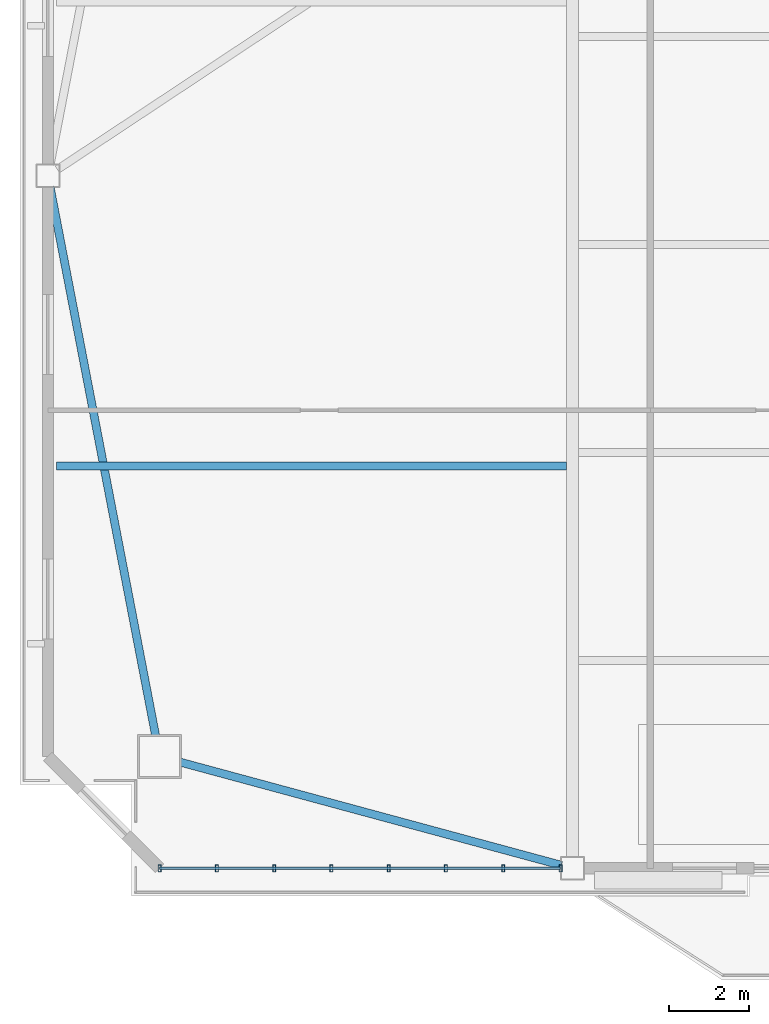
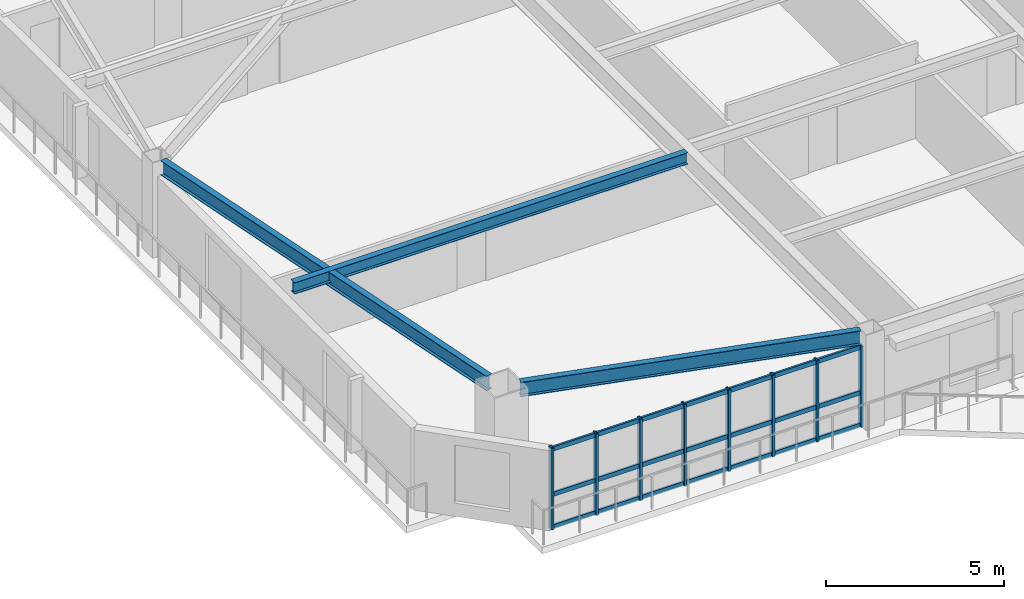
# One storey, part 2 of 17: 11 members, 3 beams, 1 element without a shape of its own.
"""IFC4 building model written with IfcOpenShell, lengths in metres."""

from ifc_helpers import new_model, si_unit, direction, frame, origin, origin_2d, place, context, subcontext, project, spatial, hollow_rectangle, i_section, extrude, source, transform, mapped, material, layer, layer_set, material_profile, profile_set, type_object, element, aggregate, save


model = new_model("IFC4")

# Units and contexts
model_context = context("Model", 3, precision=1e-05, world=origin(), true_north=direction((0.0, 1.0)))
body_context = subcontext(model_context, "Body", "Model", "MODEL_VIEW")
ifc_project = project(units=[si_unit("LENGTHUNIT", "METRE"), si_unit("AREAUNIT", "SQUARE_METRE"), si_unit("VOLUMEUNIT", "CUBIC_METRE"), si_unit("PLANEANGLEUNIT", "RADIAN"), si_unit("MASSUNIT", "GRAM", prefix="KILO")], contexts=[model_context])

# Site, building, storey
site_placement = place(None, origin())
site = spatial("IfcSite", under=ifc_project, at=site_placement, CompositionType="ELEMENT")
building_placement = place(site_placement, origin())
building = spatial("IfcBuilding", under=site, at=building_placement, Name="Giltprow Tower", CompositionType="ELEMENT")
storey_placement = place(building_placement, frame((0.0, 0.0, 202.699951171875)))
storey = spatial("IfcBuildingStorey", under=building, at=storey_placement, Name="L51", CompositionType="ELEMENT", Elevation=202.699951171875)

# Beams
ifc_material_1 = material(Name="Structural steel Q355B", Category="steel")
ifc_material_profile_1 = material_profile(ifc_material_1, i_section(OverallWidth=0.199951171875, OverallDepth=0.5, WebThickness=0.010009765625, FlangeThickness=0.01611328125, at=origin_2d()), Name="HN 500x200x10x16")
ifc_profile_set_1 = profile_set([ifc_material_profile_1], Name="Structural steel Q355B")
beam_type_1 = type_object("IfcBeamType", Name="BM-SPAN-HN500", PredefinedType="SPANDREL", material=ifc_profile_set_1)
shared_shape_1 = source(origin(), body_context, "Body", "SweptSolid", [
    extrude(i_section(OverallWidth=0.199951171875, OverallDepth=0.5, WebThickness=0.010009765625, FlangeThickness=0.01611328125, at=origin_2d()), origin(), (0.0, 0.0, 1.0), 9.899658203125),
])
beam_1_placement = place(storey_placement, frame((10.01904296875, 14.0458984375, 3.02001953125), z_axis=(0.965280411384, -0.261215863605, 0.0), x_axis=(0.261215863605, 0.965280411384, 0.0)))
element("IfcBeam", 1, at=beam_1_placement, inside=storey, type_object=beam_type_1, Name="L51 Perimeter Spandrel Beam MC_SW-S1", PredefinedType="SPANDREL", context=body_context, shape_type="MappedRepresentation", body=[
    mapped(shared_shape_1, transform((0.0, 0.0, 0.0), x_axis=(1.0, 0.0, 0.0), y_axis=(0.0, 1.0, 0.0), z_axis=(0.0, 0.0, 1.0), scale=1.0)),
])
shared_shape_2 = source(origin(), body_context, "Body", "SweptSolid", [
    extrude(i_section(OverallWidth=0.199951171875, OverallDepth=0.5, WebThickness=0.010009765625, FlangeThickness=0.01611328125, at=origin_2d()), origin(), (0.0, 0.0, 1.0), 14.00390625),
])
beam_2_placement = place(storey_placement, frame((6.757080078125, 28.462890625, 3.02001953125), z_axis=(0.188875844444, -0.982000975247, 0.0), x_axis=(0.982000975247, 0.188875844444, 0.0)))
element("IfcBeam", 2, at=beam_2_placement, inside=storey, type_object=beam_type_1, Name="L51 Perimeter Spandrel Beam W_MID-MC_SW", PredefinedType="SPANDREL", context=body_context, shape_type="MappedRepresentation", body=[
    mapped(shared_shape_2, transform((0.0, 0.0, 0.0), x_axis=(1.0, 0.0, 0.0), y_axis=(0.0, 1.0, 0.0), z_axis=(0.0, 0.0, 1.0), scale=1.0)),
])
ifc_material_profile_2 = material_profile(ifc_material_1, i_section(OverallWidth=0.199951171875, OverallDepth=0.39990234375, WebThickness=0.008056640625, FlangeThickness=0.012939453125, at=origin_2d()), Name="HN 400x200x8x13")
ifc_profile_set_2 = profile_set([ifc_material_profile_2], Name="Structural steel Q355B")
beam_type_2 = type_object("IfcBeamType", Name="BM-JOIST-HN400", PredefinedType="JOIST", material=ifc_profile_set_2)
shared_shape_3 = source(origin(), body_context, "Body", "SweptSolid", [
    extrude(i_section(OverallWidth=0.199951171875, OverallDepth=0.39990234375, WebThickness=0.008056640625, FlangeThickness=0.012939453125, at=origin_2d()), origin(), (0.0, 0.0, 1.0), 12.781982421875),
])
beam_3_placement = place(storey_placement, frame((6.923095703125, 21.465087890625, 3.070068359375), z_axis=(1.0, 0.0, 0.0), x_axis=(0.0, 1.0, 0.0)))
element("IfcBeam", 3, at=beam_3_placement, inside=storey, type_object=beam_type_2, Name="L51 West Wing Floor Joist 1", PredefinedType="JOIST", context=body_context, shape_type="MappedRepresentation", body=[
    mapped(shared_shape_3, transform((0.0, 0.0, 0.0), x_axis=(1.0, 0.0, 0.0), y_axis=(0.0, 1.0, 0.0), z_axis=(0.0, 0.0, 1.0), scale=1.0)),
])

# Curtain wall, members
ifc_material_2 = material(Name="Anodized bronze", Category="metal")
ifc_layer = layer(ifc_material_2, 0.179931640625, Name="Anodized bronze")
ifc_layer_set = layer_set([ifc_layer], Name="Anodized bronze")
curtain_wall_type = type_object("IfcCurtainWallType", Name="CW-HTL-BRONZE", PredefinedType="NOTDEFINED", material=ifc_layer_set)
curtain_wall_placement = place(storey_placement, origin())
curtain_wall = element("IfcCurtainWall", 4, at=curtain_wall_placement, inside=storey, type_object=curtain_wall_type, Name="L51 South Recessed Curtain Wall 1", PredefinedType="NOTDEFINED")
ifc_material_profile_3 = material_profile(ifc_material_2, hollow_rectangle(XDim=0.074951171875, YDim=0.179931640625, WallThickness=0.008056640625, at=origin_2d()), Name="RHS 180x75x8")
ifc_profile_set_3 = profile_set([ifc_material_profile_3], Name="Anodized bronze")
member_type_1 = type_object("IfcMemberType", Name="CW-MULLION-180x75", PredefinedType="MULLION", material=ifc_profile_set_3)
shared_shape_4 = source(origin(), body_context, "Body", "SweptSolid", [
    extrude(hollow_rectangle(XDim=0.074951171875, YDim=0.179931640625, WallThickness=0.008056640625, at=origin_2d()), origin(), (0.0, 0.0, 1.0), 2.80517578125),
])
member_1_placement = place(storey_placement, frame((9.5029296875, 11.385986328125, -0.02001953125), z_axis=(0.0, 0.0, 1.0), x_axis=(1.0, 0.0, 0.0)))
member_1 = element("IfcMember", 5, at=member_1_placement, type_object=member_type_1, Name="L51 South Recessed Curtain Wall 1 Mullion 1", PredefinedType="MULLION", context=body_context, shape_type="MappedRepresentation", body=[
    mapped(shared_shape_4, transform((0.0, 0.0, 0.0), x_axis=(1.0, 0.0, 0.0), y_axis=(0.0, 1.0, 0.0), z_axis=(0.0, 0.0, 1.0), scale=1.0)),
])
member_2_placement = place(storey_placement, frame((10.93798828125, 11.385986328125, -0.02001953125), z_axis=(0.0, 0.0, 1.0), x_axis=(1.0, 0.0, 0.0)))
member_2 = element("IfcMember", 6, at=member_2_placement, type_object=member_type_1, Name="L51 South Recessed Curtain Wall 1 Mullion 2", PredefinedType="MULLION", context=body_context, shape_type="MappedRepresentation", body=[
    mapped(shared_shape_4, transform((0.0, 0.0, 0.0), x_axis=(1.0, 0.0, 0.0), y_axis=(0.0, 1.0, 0.0), z_axis=(0.0, 0.0, 1.0), scale=1.0)),
])
member_3_placement = place(storey_placement, frame((12.3740234375, 11.385986328125, -0.02001953125), z_axis=(0.0, 0.0, 1.0), x_axis=(1.0, 0.0, 0.0)))
member_3 = element("IfcMember", 7, at=member_3_placement, type_object=member_type_1, Name="L51 South Recessed Curtain Wall 1 Mullion 3", PredefinedType="MULLION", context=body_context, shape_type="MappedRepresentation", body=[
    mapped(shared_shape_4, transform((0.0, 0.0, 0.0), x_axis=(1.0, 0.0, 0.0), y_axis=(0.0, 1.0, 0.0), z_axis=(0.0, 0.0, 1.0), scale=1.0)),
])
member_4_placement = place(storey_placement, frame((13.80908203125, 11.385986328125, -0.02001953125), z_axis=(0.0, 0.0, 1.0), x_axis=(1.0, 0.0, 0.0)))
member_4 = element("IfcMember", 8, at=member_4_placement, type_object=member_type_1, Name="L51 South Recessed Curtain Wall 1 Mullion 4", PredefinedType="MULLION", context=body_context, shape_type="MappedRepresentation", body=[
    mapped(shared_shape_4, transform((0.0, 0.0, 0.0), x_axis=(1.0, 0.0, 0.0), y_axis=(0.0, 1.0, 0.0), z_axis=(0.0, 0.0, 1.0), scale=1.0)),
])
member_5_placement = place(storey_placement, frame((15.243896484375, 11.385986328125, -0.02001953125), z_axis=(0.0, 0.0, 1.0), x_axis=(1.0, 0.0, 0.0)))
member_5 = element("IfcMember", 9, at=member_5_placement, type_object=member_type_1, Name="L51 South Recessed Curtain Wall 1 Mullion 5", PredefinedType="MULLION", context=body_context, shape_type="MappedRepresentation", body=[
    mapped(shared_shape_4, transform((0.0, 0.0, 0.0), x_axis=(1.0, 0.0, 0.0), y_axis=(0.0, 1.0, 0.0), z_axis=(0.0, 0.0, 1.0), scale=1.0)),
])
member_6_placement = place(storey_placement, frame((16.678955078125, 11.385986328125, -0.02001953125), z_axis=(0.0, 0.0, 1.0), x_axis=(1.0, 0.0, 0.0)))
member_6 = element("IfcMember", 10, at=member_6_placement, type_object=member_type_1, Name="L51 South Recessed Curtain Wall 1 Mullion 6", PredefinedType="MULLION", context=body_context, shape_type="MappedRepresentation", body=[
    mapped(shared_shape_4, transform((0.0, 0.0, 0.0), x_axis=(1.0, 0.0, 0.0), y_axis=(0.0, 1.0, 0.0), z_axis=(0.0, 0.0, 1.0), scale=1.0)),
])
member_7_placement = place(storey_placement, frame((18.114990234375, 11.385986328125, -0.02001953125), z_axis=(0.0, 0.0, 1.0), x_axis=(1.0, 0.0, 0.0)))
member_7 = element("IfcMember", 11, at=member_7_placement, type_object=member_type_1, Name="L51 South Recessed Curtain Wall 1 Mullion 7", PredefinedType="MULLION", context=body_context, shape_type="MappedRepresentation", body=[
    mapped(shared_shape_4, transform((0.0, 0.0, 0.0), x_axis=(1.0, 0.0, 0.0), y_axis=(0.0, 1.0, 0.0), z_axis=(0.0, 0.0, 1.0), scale=1.0)),
])
member_8_placement = place(storey_placement, frame((19.550048828125, 11.385986328125, -0.02001953125), z_axis=(0.0, 0.0, 1.0), x_axis=(1.0, 0.0, 0.0)))
member_8 = element("IfcMember", 12, at=member_8_placement, type_object=member_type_1, Name="L51 South Recessed Curtain Wall 1 Mullion 8", PredefinedType="MULLION", context=body_context, shape_type="MappedRepresentation", body=[
    mapped(shared_shape_4, transform((0.0, 0.0, 0.0), x_axis=(1.0, 0.0, 0.0), y_axis=(0.0, 1.0, 0.0), z_axis=(0.0, 0.0, 1.0), scale=1.0)),
])
ifc_material_profile_4 = material_profile(ifc_material_2, hollow_rectangle(XDim=0.06494140625, YDim=0.14990234375, WallThickness=0.006103515625, at=origin_2d()), Name="RHS 150x65x6")
ifc_profile_set_4 = profile_set([ifc_material_profile_4], Name="Anodized bronze")
member_type_2 = type_object("IfcMemberType", Name="CW-TRANSOM-150x65", PredefinedType="USERDEFINED", material=ifc_profile_set_4)
shared_shape_5 = source(origin(), body_context, "Body", "SweptSolid", [
    extrude(hollow_rectangle(XDim=0.06494140625, YDim=0.14990234375, WallThickness=0.006103515625, at=origin_2d()), origin(), (0.0, 0.0, 1.0), 10.047119140625),
])
member_9_placement = place(storey_placement, frame((9.5029296875, 11.385986328125, 0.0400390625), z_axis=(1.0, 0.0, 0.0), x_axis=(0.0, 1.0, 0.0)))
member_9 = element("IfcMember", 13, at=member_9_placement, type_object=member_type_2, Name="L51 South Recessed Curtain Wall 1 Transom 1", ObjectType="TRANSOM", PredefinedType="USERDEFINED", context=body_context, shape_type="MappedRepresentation", body=[
    mapped(shared_shape_5, transform((0.0, 0.0, 0.0), x_axis=(1.0, 0.0, 0.0), y_axis=(0.0, 1.0, 0.0), z_axis=(0.0, 0.0, 1.0), scale=1.0)),
])
member_10_placement = place(storey_placement, frame((9.5029296875, 11.385986328125, 1.155029296875), z_axis=(1.0, 0.0, 0.0), x_axis=(0.0, 1.0, 0.0)))
member_10 = element("IfcMember", 14, at=member_10_placement, type_object=member_type_2, Name="L51 South Recessed Curtain Wall 1 Transom 2", ObjectType="TRANSOM", PredefinedType="USERDEFINED", context=body_context, shape_type="MappedRepresentation", body=[
    mapped(shared_shape_5, transform((0.0, 0.0, 0.0), x_axis=(1.0, 0.0, 0.0), y_axis=(0.0, 1.0, 0.0), z_axis=(0.0, 0.0, 1.0), scale=1.0)),
])
member_11_placement = place(storey_placement, frame((9.5029296875, 11.385986328125, 2.7099609375), z_axis=(1.0, 0.0, 0.0), x_axis=(0.0, 1.0, 0.0)))
member_11 = element("IfcMember", 15, at=member_11_placement, type_object=member_type_2, Name="L51 South Recessed Curtain Wall 1 Transom 3", ObjectType="TRANSOM", PredefinedType="USERDEFINED", context=body_context, shape_type="MappedRepresentation", body=[
    mapped(shared_shape_5, transform((0.0, 0.0, 0.0), x_axis=(1.0, 0.0, 0.0), y_axis=(0.0, 1.0, 0.0), z_axis=(0.0, 0.0, 1.0), scale=1.0)),
])
aggregate(curtain_wall, [member_1, member_2, member_3, member_4, member_5, member_6, member_7, member_8, member_9, member_10, member_11])

save(model, "model.ifc")
